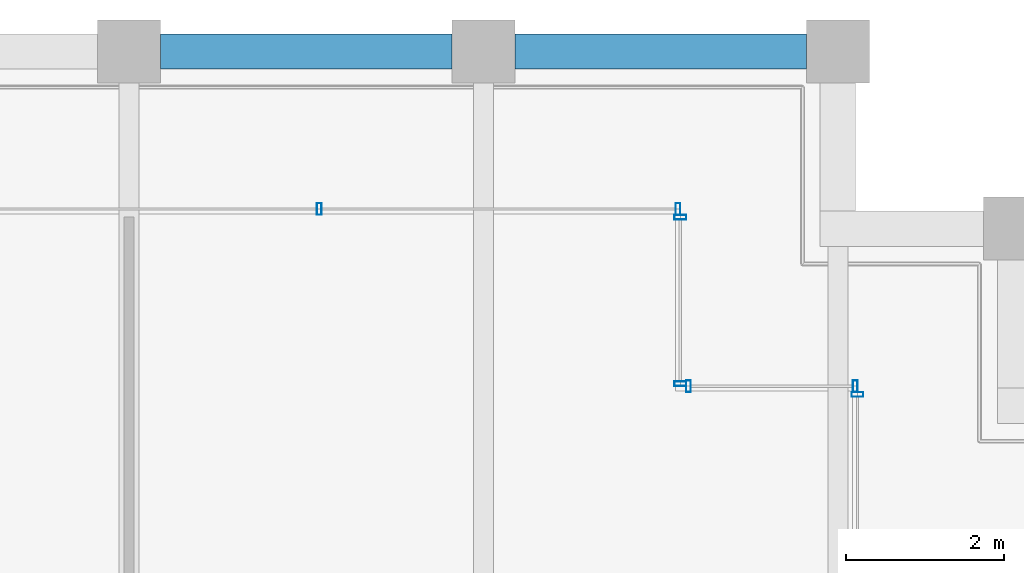
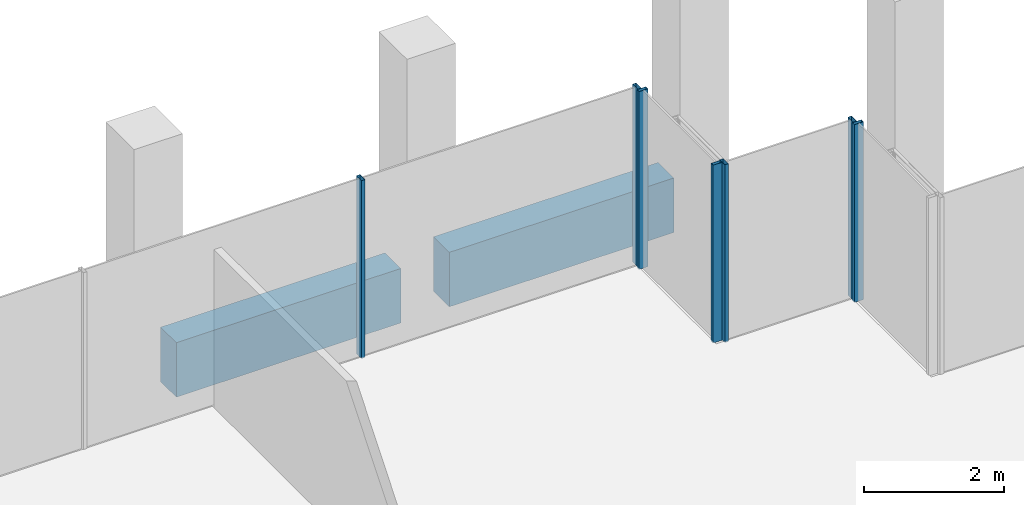
# One storey, part 26 of 30: 7 members, 2 beams, 4 elements without a shape of their own.
"""IFC4 building model written with IfcOpenShell, lengths in metres."""

from ifc_helpers import new_model, si_unit, direction, frame, origin, origin_2d, place, context, subcontext, project, spatial, rectangle, hollow_rectangle, extrude, material, material_profile, profile_set, type_object, element, aggregate, save


model = new_model("IFC4")

# Units and contexts
model_context = context("Model", 3, precision=1e-05, world=origin(), true_north=direction((0.0, 1.0)))
body_context = subcontext(model_context, "Body", "Model", "MODEL_VIEW")
ifc_project = project(units=[si_unit("LENGTHUNIT", "METRE"), si_unit("AREAUNIT", "SQUARE_METRE"), si_unit("VOLUMEUNIT", "CUBIC_METRE"), si_unit("PLANEANGLEUNIT", "RADIAN"), si_unit("MASSUNIT", "GRAM", prefix="KILO")], contexts=[model_context])

# Site, building, storey
site_placement = place(None, origin())
site = spatial("IfcSite", under=ifc_project, at=site_placement, CompositionType="ELEMENT")
building_placement = place(site_placement, origin())
building = spatial("IfcBuilding", under=site, at=building_placement, Name="Altepetl Exchange Towers", CompositionType="ELEMENT")
storey_placement = place(building_placement, frame((0.0, 0.0, 231.60009765625)))
storey = spatial("IfcBuildingStorey", under=building, at=storey_placement, Name="L59", CompositionType="ELEMENT", Elevation=231.60009765625)

# Curtain wall, member
ifc_material_1 = material(Name="Aluminium 6063-T6 glazing", Category="aluminium")
curtain_wall_type = type_object("IfcCurtainWallType", Name="Loggia glazing system", PredefinedType="NOTDEFINED", material=ifc_material_1)
curtain_wall_1_placement = place(storey_placement, origin())
curtain_wall_1 = element("IfcCurtainWall", 1, at=curtain_wall_1_placement, inside=storey, type_object=curtain_wall_type, Name="CW1 run", PredefinedType="NOTDEFINED")
ifc_material_2 = material(Name="Aluminium 6063-T6", Category="aluminium")
ifc_material_profile_1 = material_profile(ifc_material_2, hollow_rectangle(XDim=0.06005859375, YDim=0.14990234375, WallThickness=0.0029296875, at=origin_2d()), Name="Mullion 60x150 aluminium")
ifc_profile_set_1 = profile_set([ifc_material_profile_1], Name="Aluminium 6063-T6")
member_type = type_object("IfcMemberType", Name="Mullion 60x150 aluminium", PredefinedType="MULLION", material=ifc_profile_set_1)
member_1_placement = place(storey_placement, frame((67.75, 67.64501953125, 0.0), z_axis=(0.0, 0.0, 1.0), x_axis=(0.0, 1.0, 0.0)))
member_1 = element("IfcMember", 2, at=member_1_placement, type_object=member_type, Name="MU1 mullion", PredefinedType="MULLION", context=body_context, shape_type="SweptSolid", body=[
    extrude(hollow_rectangle(XDim=0.06005859375, YDim=0.14990234375, WallThickness=0.0029296875, at=origin_2d()), origin(), (0.0, 0.0, 1.0), 3.099853515625),
])
aggregate(curtain_wall_1, [member_1])

# Curtain wall, members
curtain_wall_2_placement = place(storey_placement, origin())
curtain_wall_2 = element("IfcCurtainWall", 3, at=curtain_wall_2_placement, inside=storey, type_object=curtain_wall_type, Name="CW1 run", PredefinedType="NOTDEFINED")
member_2_placement = place(storey_placement, frame((67.719970703125, 67.75, 0.0), z_axis=(0.0, 0.0, 1.0), x_axis=(-1.0, 0.0, 0.0)))
member_2 = element("IfcMember", 4, at=member_2_placement, type_object=member_type, Name="MU1 mullion", PredefinedType="MULLION", context=body_context, shape_type="SweptSolid", body=[
    extrude(hollow_rectangle(XDim=0.06005859375, YDim=0.14990234375, WallThickness=0.0029296875, at=origin_2d()), origin(), (0.0, 0.0, 1.0), 3.099853515625),
])
member_3_placement = place(storey_placement, frame((65.60498046875, 67.75, 0.0), z_axis=(0.0, 0.0, 1.0), x_axis=(-1.0, 0.0, 0.0)))
member_3 = element("IfcMember", 5, at=member_3_placement, type_object=member_type, Name="MU1 mullion", PredefinedType="MULLION", context=body_context, shape_type="SweptSolid", body=[
    extrude(hollow_rectangle(XDim=0.06005859375, YDim=0.14990234375, WallThickness=0.0029296875, at=origin_2d()), origin(), (0.0, 0.0, 1.0), 3.099853515625),
])
aggregate(curtain_wall_2, [member_2, member_3])

curtain_wall_3_placement = place(storey_placement, origin())
curtain_wall_3 = element("IfcCurtainWall", 6, at=curtain_wall_3_placement, inside=storey, type_object=curtain_wall_type, Name="CW1 run", PredefinedType="NOTDEFINED")
member_4_placement = place(storey_placement, frame((65.5, 67.780029296875, 0.0), z_axis=(0.0, 0.0, 1.0), x_axis=(0.0, 1.0, 0.0)))
member_4 = element("IfcMember", 7, at=member_4_placement, type_object=member_type, Name="MU1 mullion", PredefinedType="MULLION", context=body_context, shape_type="SweptSolid", body=[
    extrude(hollow_rectangle(XDim=0.06005859375, YDim=0.14990234375, WallThickness=0.0029296875, at=origin_2d()), origin(), (0.0, 0.0, 1.0), 3.099853515625),
])
member_5_placement = place(storey_placement, frame((65.5, 69.89501953125, 0.0), z_axis=(0.0, 0.0, 1.0), x_axis=(0.0, 1.0, 0.0)))
member_5 = element("IfcMember", 8, at=member_5_placement, type_object=member_type, Name="MU1 mullion", PredefinedType="MULLION", context=body_context, shape_type="SweptSolid", body=[
    extrude(hollow_rectangle(XDim=0.06005859375, YDim=0.14990234375, WallThickness=0.0029296875, at=origin_2d()), origin(), (0.0, 0.0, 1.0), 3.099853515625),
])
aggregate(curtain_wall_3, [member_4, member_5])

curtain_wall_4_placement = place(storey_placement, origin())
curtain_wall_4 = element("IfcCurtainWall", 9, at=curtain_wall_4_placement, inside=storey, type_object=curtain_wall_type, Name="CW1 run", PredefinedType="NOTDEFINED")
member_6_placement = place(storey_placement, frame((65.469970703125, 70.0, 0.0), z_axis=(0.0, 0.0, 1.0), x_axis=(-1.0, 0.0, 0.0)))
member_6 = element("IfcMember", 10, at=member_6_placement, type_object=member_type, Name="MU1 mullion", PredefinedType="MULLION", context=body_context, shape_type="SweptSolid", body=[
    extrude(hollow_rectangle(XDim=0.06005859375, YDim=0.14990234375, WallThickness=0.0029296875, at=origin_2d()), origin(), (0.0, 0.0, 1.0), 3.099853515625),
])
member_7_placement = place(storey_placement, frame((60.9150390625, 70.0, 0.0), z_axis=(0.0, 0.0, 1.0), x_axis=(-1.0, 0.0, 0.0)))
member_7 = element("IfcMember", 11, at=member_7_placement, type_object=member_type, Name="MU1 mullion", PredefinedType="MULLION", context=body_context, shape_type="SweptSolid", body=[
    extrude(hollow_rectangle(XDim=0.06005859375, YDim=0.14990234375, WallThickness=0.0029296875, at=origin_2d()), origin(), (0.0, 0.0, 1.0), 3.099853515625),
])
aggregate(curtain_wall_4, [member_6, member_7])

# Beams
ifc_material_3 = material(Name="Concrete C50/60 precast with cantera rosa facing", Category="concrete")
ifc_material_profile_2 = material_profile(ifc_material_3, rectangle(XDim=0.449951171875, YDim=0.949951171875, at=origin_2d()), Name="450 x 950")
ifc_profile_set_2 = profile_set([ifc_material_profile_2], Name="Concrete C50/60 precast with cantera rosa facing")
beam_type = type_object("IfcBeamType", Name="Spandrel beam 450x950 cantera rosa", PredefinedType="SPANDREL", material=ifc_profile_set_2)
for number, where, z_axis, x_axis, name in (
    (12, (67.10009765625, 72.0, -0.625), (-1.0, 0.0, 0.0), (0.0, -1.0, 0.0), "sp:A:L59:024"),
    (13, (62.60009765625, 72.0, -0.625), (-1.0, 0.0, 0.0), (0.0, -1.0, 0.0), "sp:A:L59:025"),
):
    element("IfcBeam", number, at=place(storey_placement, frame(where, z_axis=z_axis, x_axis=x_axis)), inside=storey, type_object=beam_type, Name=name, PredefinedType="SPANDREL", context=body_context, shape_type="SweptSolid", body=[
        extrude(rectangle(XDim=0.449951171875, YDim=0.949951171875, at=origin_2d()), origin(), (0.0, 0.0, 1.0), 3.7001953125),
    ])

save(model, "model.ifc")
